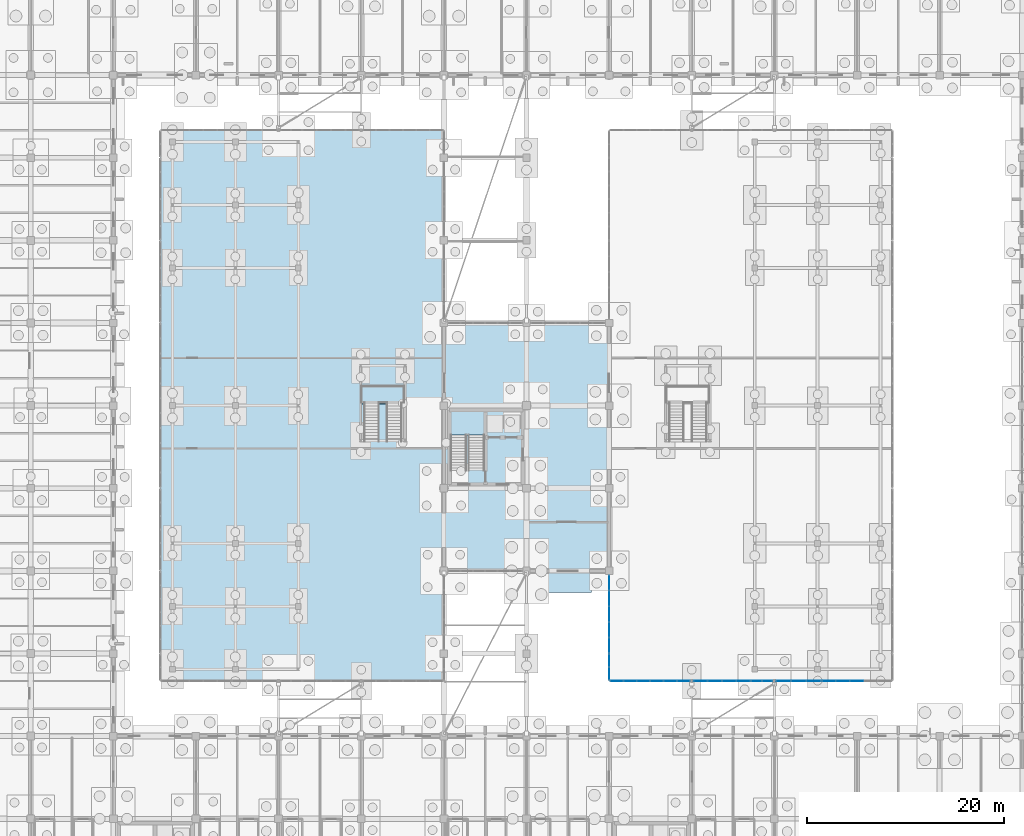
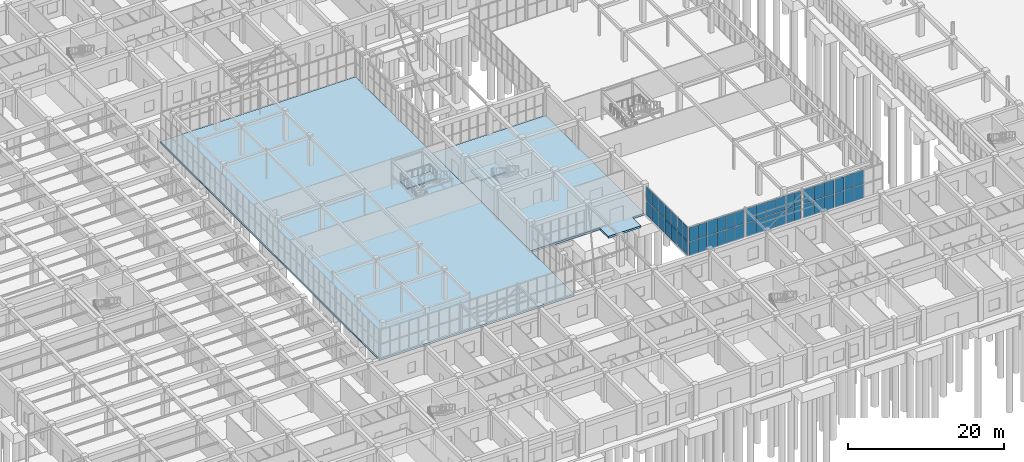
# One storey, part 138 of 192: 50 plates, 4 slabs, 9 elements without a shape of their own.
"""IFC4 building model written with IfcOpenShell, lengths in metres."""

from ifc_helpers import new_model, si_unit, direction, frame, origin, origin_2d, place, context, subcontext, project, spatial, polyline, rectangle, outline, extrude, material, layer, layer_set, type_object, element, aggregate, save


model = new_model("IFC4")

# Units and contexts
model_context = context("Model", 3, precision=1e-05, world=origin(), true_north=direction((0.0, 1.0)))
body_context = subcontext(model_context, "Body", "Model", "MODEL_VIEW")
ifc_project = project(units=[si_unit("LENGTHUNIT", "METRE"), si_unit("AREAUNIT", "SQUARE_METRE"), si_unit("VOLUMEUNIT", "CUBIC_METRE"), si_unit("PLANEANGLEUNIT", "RADIAN"), si_unit("MASSUNIT", "GRAM", prefix="KILO")], contexts=[model_context])

# Site, building, storey
site_placement = place(None, origin())
site = spatial("IfcSite", under=ifc_project, at=site_placement, CompositionType="ELEMENT")
building_placement = place(site_placement, origin())
building = spatial("IfcBuilding", under=site, at=building_placement, Name="Trelvath General Hospital", CompositionType="ELEMENT")
storey_placement = place(building_placement, origin())
storey = spatial("IfcBuildingStorey", under=building, at=storey_placement, Name="L00", CompositionType="ELEMENT", Elevation=0.0)

# Slabs
ifc_material_1 = material(Name="Concrete C35/45", Category="concrete")
ifc_layer_1 = layer(ifc_material_1, 0.300048828125)
ifc_layer_set_1 = layer_set([ifc_layer_1], Name="Concrete C35/45")
slab_type_1 = type_object("IfcSlabType", Name="BaseSlab RC300", PredefinedType="BASESLAB", material=ifc_layer_set_1)
slab_1_placement = place(storey_placement, frame((0.0, 0.0, -0.300048828125)))
element("IfcSlab", 1, at=slab_1_placement, inside=storey, type_object=slab_type_1, Name="Floor Slab SL-L00-V7-C1", PredefinedType="BASESLAB", context=body_context, shape_type="SweptSolid", body=[
    extrude(outline(polyline([(85.800048828125, 42.0), (75.60009765625, 42.0), (75.60009765625, 67.199951171875), (92.39990234375, 67.199951171875), (92.39990234375, 42.0), (90.60009765625, 42.0), (90.60009765625, 39.800048828125), (85.800048828125, 39.800048828125), (85.800048828125, 42.0)])), origin(), (0.0, 0.0, 1.0), 0.300048828125),
])
slab_2_placement = place(storey_placement, frame((0.0, 0.0, -0.300048828125)))
element("IfcSlab", 2, at=slab_2_placement, inside=storey, type_object=slab_type_1, Name="Crystal Cube Slab CUBE-W-T0 L00", PredefinedType="BASESLAB", context=body_context, shape_type="SweptSolid", body=[
    extrude(outline(polyline([(46.800048828125, 30.800048828125), (75.60009765625, 30.800048828125), (75.60009765625, 86.800048828125), (46.800048828125, 86.800048828125), (46.800048828125, 30.800048828125)])), origin(), (0.0, 0.0, 1.0), 0.300048828125),
])

# Curtain wall, plates
ifc_material_2 = material(Name="Anodised aluminium and low-E glass", Category="aluminium")
ifc_layer_2 = layer(ifc_material_2, 0.139892578125)
ifc_layer_set_2 = layer_set([ifc_layer_2], Name="Anodised aluminium and low-E glass")
curtain_wall_type_1 = type_object("IfcCurtainWallType", Name="CW CrystalCube 817 456 14", PredefinedType="USERDEFINED", material=ifc_layer_set_2)
curtain_wall_1_placement = place(storey_placement, origin())
curtain_wall_1 = element("IfcCurtainWall", 3, at=curtain_wall_1_placement, inside=storey, type_object=curtain_wall_type_1, Name="Crystal Cube Curtain Wall CUBE-E-T0 S1 L00", ObjectType="Unitised Glazed Curtain Wall", PredefinedType="USERDEFINED")
ifc_material_3 = material(Name="Low-E laminated glass", Category="glass")
ifc_layer_3 = layer(ifc_material_3, 0.028076171875)
ifc_layer_set_3 = layer_set([ifc_layer_3], Name="Low-E laminated glass")
plate_type = type_object("IfcPlateType", Name="CurtainPanel Glass28", PredefinedType="CURTAIN_PANEL", material=ifc_layer_set_3)
plate_1_placement = place(storey_placement, frame((99.9541015625, 30.800048828125, 0.06005859375), z_axis=(0.0, 0.0, 1.0), x_axis=(-1.0, 0.0, 0.0)))
plate_1 = element("IfcPlate", 4, at=plate_1_placement, type_object=plate_type, Name="CW-106 panel 1.1", PredefinedType="CURTAIN_PANEL", context=body_context, shape_type="SweptSolid", body=[
    extrude(rectangle(XDim=1.271728515625, YDim=0.028076171875, at=origin_2d()), origin(), (0.0, 0.0, 1.0), 2.18994140625),
])
plate_2_placement = place(storey_placement, frame((99.9541015625, 30.800048828125, 2.31005859375), z_axis=(0.0, 0.0, 1.0), x_axis=(-1.0, 0.0, 0.0)))
plate_2 = element("IfcPlate", 5, at=plate_2_placement, type_object=plate_type, Name="CW-106 panel 1.2", PredefinedType="CURTAIN_PANEL", context=body_context, shape_type="SweptSolid", body=[
    extrude(rectangle(XDim=1.271728515625, YDim=0.028076171875, at=origin_2d()), origin(), (0.0, 0.0, 1.0), 2.18994140625),
])
plate_3_placement = place(storey_placement, frame((98.607421875, 30.800048828125, 0.06005859375), z_axis=(0.0, 0.0, 1.0), x_axis=(-1.0, 0.0, 0.0)))
plate_3 = element("IfcPlate", 6, at=plate_3_placement, type_object=plate_type, Name="CW-106 panel 2.1", PredefinedType="CURTAIN_PANEL", context=body_context, shape_type="SweptSolid", body=[
    extrude(rectangle(XDim=1.3017578125, YDim=0.028076171875, at=origin_2d()), origin(), (0.0, 0.0, 1.0), 2.18994140625),
])
plate_4_placement = place(storey_placement, frame((98.607421875, 30.800048828125, 2.31005859375), z_axis=(0.0, 0.0, 1.0), x_axis=(-1.0, 0.0, 0.0)))
plate_4 = element("IfcPlate", 7, at=plate_4_placement, type_object=plate_type, Name="CW-106 panel 2.2", PredefinedType="CURTAIN_PANEL", context=body_context, shape_type="SweptSolid", body=[
    extrude(rectangle(XDim=1.3017578125, YDim=0.028076171875, at=origin_2d()), origin(), (0.0, 0.0, 1.0), 2.18994140625),
])
plate_5_placement = place(storey_placement, frame((97.245849609375, 30.800048828125, 0.06005859375), z_axis=(0.0, 0.0, 1.0), x_axis=(-1.0, 0.0, 0.0)))
plate_5 = element("IfcPlate", 8, at=plate_5_placement, type_object=plate_type, Name="CW-106 panel 3.1", PredefinedType="CURTAIN_PANEL", context=body_context, shape_type="SweptSolid", body=[
    extrude(rectangle(XDim=1.3017578125, YDim=0.028076171875, at=origin_2d()), origin(), (0.0, 0.0, 1.0), 2.18994140625),
])
plate_6_placement = place(storey_placement, frame((97.245849609375, 30.800048828125, 2.31005859375), z_axis=(0.0, 0.0, 1.0), x_axis=(-1.0, 0.0, 0.0)))
plate_6 = element("IfcPlate", 9, at=plate_6_placement, type_object=plate_type, Name="CW-106 panel 3.2", PredefinedType="CURTAIN_PANEL", context=body_context, shape_type="SweptSolid", body=[
    extrude(rectangle(XDim=1.3017578125, YDim=0.028076171875, at=origin_2d()), origin(), (0.0, 0.0, 1.0), 2.18994140625),
])
plate_7_placement = place(storey_placement, frame((95.88427734375, 30.800048828125, 0.06005859375), z_axis=(0.0, 0.0, 1.0), x_axis=(-1.0, 0.0, 0.0)))
plate_7 = element("IfcPlate", 10, at=plate_7_placement, type_object=plate_type, Name="CW-106 panel 4.1", PredefinedType="CURTAIN_PANEL", context=body_context, shape_type="SweptSolid", body=[
    extrude(rectangle(XDim=1.3017578125, YDim=0.028076171875, at=origin_2d()), origin(), (0.0, 0.0, 1.0), 2.18994140625),
])
plate_8_placement = place(storey_placement, frame((95.88427734375, 30.800048828125, 2.31005859375), z_axis=(0.0, 0.0, 1.0), x_axis=(-1.0, 0.0, 0.0)))
plate_8 = element("IfcPlate", 11, at=plate_8_placement, type_object=plate_type, Name="CW-106 panel 4.2", PredefinedType="CURTAIN_PANEL", context=body_context, shape_type="SweptSolid", body=[
    extrude(rectangle(XDim=1.3017578125, YDim=0.028076171875, at=origin_2d()), origin(), (0.0, 0.0, 1.0), 2.18994140625),
])
plate_9_placement = place(storey_placement, frame((94.5224609375, 30.800048828125, 0.06005859375), z_axis=(0.0, 0.0, 1.0), x_axis=(-1.0, 0.0, 0.0)))
plate_9 = element("IfcPlate", 12, at=plate_9_placement, type_object=plate_type, Name="CW-106 panel 5.1", PredefinedType="CURTAIN_PANEL", context=body_context, shape_type="SweptSolid", body=[
    extrude(rectangle(XDim=1.3017578125, YDim=0.028076171875, at=origin_2d()), origin(), (0.0, 0.0, 1.0), 2.18994140625),
])
plate_10_placement = place(storey_placement, frame((94.5224609375, 30.800048828125, 2.31005859375), z_axis=(0.0, 0.0, 1.0), x_axis=(-1.0, 0.0, 0.0)))
plate_10 = element("IfcPlate", 13, at=plate_10_placement, type_object=plate_type, Name="CW-106 panel 5.2", PredefinedType="CURTAIN_PANEL", context=body_context, shape_type="SweptSolid", body=[
    extrude(rectangle(XDim=1.3017578125, YDim=0.028076171875, at=origin_2d()), origin(), (0.0, 0.0, 1.0), 2.18994140625),
])
plate_11_placement = place(storey_placement, frame((93.17578125, 30.800048828125, 0.06005859375), z_axis=(0.0, 0.0, 1.0), x_axis=(-1.0, 0.0, 0.0)))
plate_11 = element("IfcPlate", 14, at=plate_11_placement, type_object=plate_type, Name="CW-106 panel 6.1", PredefinedType="CURTAIN_PANEL", context=body_context, shape_type="SweptSolid", body=[
    extrude(rectangle(XDim=1.271728515625, YDim=0.028076171875, at=origin_2d()), origin(), (0.0, 0.0, 1.0), 2.18994140625),
])
plate_12_placement = place(storey_placement, frame((93.17578125, 30.800048828125, 2.31005859375), z_axis=(0.0, 0.0, 1.0), x_axis=(-1.0, 0.0, 0.0)))
plate_12 = element("IfcPlate", 15, at=plate_12_placement, type_object=plate_type, Name="CW-106 panel 6.2", PredefinedType="CURTAIN_PANEL", context=body_context, shape_type="SweptSolid", body=[
    extrude(rectangle(XDim=1.271728515625, YDim=0.028076171875, at=origin_2d()), origin(), (0.0, 0.0, 1.0), 2.18994140625),
])
aggregate(curtain_wall_1, [plate_1, plate_2, plate_3, plate_4, plate_5, plate_6, plate_7, plate_8, plate_9, plate_10, plate_11, plate_12])

ifc_material_4 = material(Name="Anodised aluminium and low-E glass", Category="aluminium")
ifc_layer_4 = layer(ifc_material_4, 0.139892578125)
ifc_layer_set_4 = layer_set([ifc_layer_4], Name="Anodised aluminium and low-E glass")
curtain_wall_type_2 = type_object("IfcCurtainWallType", Name="CW CrystalCube 583 456 14", PredefinedType="USERDEFINED", material=ifc_layer_set_4)
curtain_wall_2_placement = place(storey_placement, origin())
curtain_wall_2 = element("IfcCurtainWall", 16, at=curtain_wall_2_placement, inside=storey, type_object=curtain_wall_type_2, Name="Crystal Cube Curtain Wall CUBE-E-T0 S2 L00", ObjectType="Unitised Glazed Curtain Wall", PredefinedType="USERDEFINED")
plate_13_placement = place(storey_placement, frame((106.0361328125, 30.800048828125, 0.06005859375), z_axis=(0.0, 0.0, 1.0), x_axis=(-1.0, 0.0, 0.0)))
plate_13 = element("IfcPlate", 17, at=plate_13_placement, type_object=plate_type, Name="CW-107 panel 1.1", PredefinedType="CURTAIN_PANEL", context=body_context, shape_type="SweptSolid", body=[
    extrude(rectangle(XDim=1.367431640625, YDim=0.028076171875, at=origin_2d()), origin(), (0.0, 0.0, 1.0), 2.18994140625),
])
plate_14_placement = place(storey_placement, frame((106.0361328125, 30.800048828125, 2.31005859375), z_axis=(0.0, 0.0, 1.0), x_axis=(-1.0, 0.0, 0.0)))
plate_14 = element("IfcPlate", 18, at=plate_14_placement, type_object=plate_type, Name="CW-107 panel 1.2", PredefinedType="CURTAIN_PANEL", context=body_context, shape_type="SweptSolid", body=[
    extrude(rectangle(XDim=1.367431640625, YDim=0.028076171875, at=origin_2d()), origin(), (0.0, 0.0, 1.0), 2.18994140625),
])
plate_15_placement = place(storey_placement, frame((104.59375, 30.800048828125, 0.06005859375), z_axis=(0.0, 0.0, 1.0), x_axis=(-1.0, 0.0, 0.0)))
plate_15 = element("IfcPlate", 19, at=plate_15_placement, type_object=plate_type, Name="CW-107 panel 2.1", PredefinedType="CURTAIN_PANEL", context=body_context, shape_type="SweptSolid", body=[
    extrude(rectangle(XDim=1.3974609375, YDim=0.028076171875, at=origin_2d()), origin(), (0.0, 0.0, 1.0), 2.18994140625),
])
plate_16_placement = place(storey_placement, frame((104.59375, 30.800048828125, 2.31005859375), z_axis=(0.0, 0.0, 1.0), x_axis=(-1.0, 0.0, 0.0)))
plate_16 = element("IfcPlate", 20, at=plate_16_placement, type_object=plate_type, Name="CW-107 panel 2.2", PredefinedType="CURTAIN_PANEL", context=body_context, shape_type="SweptSolid", body=[
    extrude(rectangle(XDim=1.3974609375, YDim=0.028076171875, at=origin_2d()), origin(), (0.0, 0.0, 1.0), 2.18994140625),
])
plate_17_placement = place(storey_placement, frame((103.13623046875, 30.800048828125, 0.06005859375), z_axis=(0.0, 0.0, 1.0), x_axis=(-1.0, 0.0, 0.0)))
plate_17 = element("IfcPlate", 21, at=plate_17_placement, type_object=plate_type, Name="CW-107 panel 3.1", PredefinedType="CURTAIN_PANEL", context=body_context, shape_type="SweptSolid", body=[
    extrude(rectangle(XDim=1.3974609375, YDim=0.028076171875, at=origin_2d()), origin(), (0.0, 0.0, 1.0), 2.18994140625),
])
plate_18_placement = place(storey_placement, frame((103.13623046875, 30.800048828125, 2.31005859375), z_axis=(0.0, 0.0, 1.0), x_axis=(-1.0, 0.0, 0.0)))
plate_18 = element("IfcPlate", 22, at=plate_18_placement, type_object=plate_type, Name="CW-107 panel 3.2", PredefinedType="CURTAIN_PANEL", context=body_context, shape_type="SweptSolid", body=[
    extrude(rectangle(XDim=1.3974609375, YDim=0.028076171875, at=origin_2d()), origin(), (0.0, 0.0, 1.0), 2.18994140625),
])
plate_19_placement = place(storey_placement, frame((101.69384765625, 30.800048828125, 0.06005859375), z_axis=(0.0, 0.0, 1.0), x_axis=(-1.0, 0.0, 0.0)))
plate_19 = element("IfcPlate", 23, at=plate_19_placement, type_object=plate_type, Name="CW-107 panel 4.1", PredefinedType="CURTAIN_PANEL", context=body_context, shape_type="SweptSolid", body=[
    extrude(rectangle(XDim=1.367431640625, YDim=0.028076171875, at=origin_2d()), origin(), (0.0, 0.0, 1.0), 2.18994140625),
])
plate_20_placement = place(storey_placement, frame((101.69384765625, 30.800048828125, 2.31005859375), z_axis=(0.0, 0.0, 1.0), x_axis=(-1.0, 0.0, 0.0)))
plate_20 = element("IfcPlate", 24, at=plate_20_placement, type_object=plate_type, Name="CW-107 panel 4.2", PredefinedType="CURTAIN_PANEL", context=body_context, shape_type="SweptSolid", body=[
    extrude(rectangle(XDim=1.367431640625, YDim=0.028076171875, at=origin_2d()), origin(), (0.0, 0.0, 1.0), 2.18994140625),
])
aggregate(curtain_wall_2, [plate_13, plate_14, plate_15, plate_16, plate_17, plate_18, plate_19, plate_20])

ifc_material_5 = material(Name="Anodised aluminium and low-E glass", Category="aluminium")
ifc_layer_5 = layer(ifc_material_5, 0.139892578125)
ifc_layer_set_5 = layer_set([ifc_layer_5], Name="Anodised aluminium and low-E glass")
curtain_wall_type_3 = type_object("IfcCurtainWallType", Name="CW CrystalCube 223 456 14", PredefinedType="USERDEFINED", material=ifc_layer_set_5)
curtain_wall_3_placement = place(storey_placement, origin())
curtain_wall_3 = element("IfcCurtainWall", 25, at=curtain_wall_3_placement, inside=storey, type_object=curtain_wall_type_3, Name="Crystal Cube Curtain Wall CUBE-E-T0 S3 L00", ObjectType="Unitised Glazed Curtain Wall", PredefinedType="USERDEFINED")
plate_21_placement = place(storey_placement, frame((108.4775390625, 30.800048828125, 0.06005859375), z_axis=(0.0, 0.0, 1.0), x_axis=(-1.0, 0.0, 0.0)))
plate_21 = element("IfcPlate", 26, at=plate_21_placement, type_object=plate_type, Name="CW-108 panel 1.1", PredefinedType="CURTAIN_PANEL", context=body_context, shape_type="SweptSolid", body=[
    extrude(rectangle(XDim=1.02490234375, YDim=0.028076171875, at=origin_2d()), origin(), (0.0, 0.0, 1.0), 2.18994140625),
])
plate_22_placement = place(storey_placement, frame((108.4775390625, 30.800048828125, 2.31005859375), z_axis=(0.0, 0.0, 1.0), x_axis=(-1.0, 0.0, 0.0)))
plate_22 = element("IfcPlate", 27, at=plate_22_placement, type_object=plate_type, Name="CW-108 panel 1.2", PredefinedType="CURTAIN_PANEL", context=body_context, shape_type="SweptSolid", body=[
    extrude(rectangle(XDim=1.02490234375, YDim=0.028076171875, at=origin_2d()), origin(), (0.0, 0.0, 1.0), 2.18994140625),
])
plate_23_placement = place(storey_placement, frame((107.392578125, 30.800048828125, 0.06005859375), z_axis=(0.0, 0.0, 1.0), x_axis=(-1.0, 0.0, 0.0)))
plate_23 = element("IfcPlate", 28, at=plate_23_placement, type_object=plate_type, Name="CW-108 panel 2.1", PredefinedType="CURTAIN_PANEL", context=body_context, shape_type="SweptSolid", body=[
    extrude(rectangle(XDim=1.02490234375, YDim=0.028076171875, at=origin_2d()), origin(), (0.0, 0.0, 1.0), 2.18994140625),
])
plate_24_placement = place(storey_placement, frame((107.392578125, 30.800048828125, 2.31005859375), z_axis=(0.0, 0.0, 1.0), x_axis=(-1.0, 0.0, 0.0)))
plate_24 = element("IfcPlate", 29, at=plate_24_placement, type_object=plate_type, Name="CW-108 panel 2.2", PredefinedType="CURTAIN_PANEL", context=body_context, shape_type="SweptSolid", body=[
    extrude(rectangle(XDim=1.02490234375, YDim=0.028076171875, at=origin_2d()), origin(), (0.0, 0.0, 1.0), 2.18994140625),
])
aggregate(curtain_wall_3, [plate_21, plate_22, plate_23, plate_24])

ifc_material_6 = material(Name="Anodised aluminium and low-E glass", Category="aluminium")
ifc_layer_6 = layer(ifc_material_6, 0.139892578125)
ifc_layer_set_6 = layer_set([ifc_layer_6], Name="Anodised aluminium and low-E glass")
curtain_wall_type_4 = type_object("IfcCurtainWallType", Name="CW CrystalCube 463 456 14", PredefinedType="USERDEFINED", material=ifc_layer_set_6)
curtain_wall_4_placement = place(storey_placement, origin())
curtain_wall_4 = element("IfcCurtainWall", 30, at=curtain_wall_4_placement, inside=storey, type_object=curtain_wall_type_4, Name="Crystal Cube Curtain Wall CUBE-E-T0 S4 L00", ObjectType="Unitised Glazed Curtain Wall", PredefinedType="USERDEFINED")
plate_25_placement = place(storey_placement, frame((113.193359375, 30.800048828125, 0.06005859375), z_axis=(0.0, 0.0, 1.0), x_axis=(-1.0, 0.0, 0.0)))
plate_25 = element("IfcPlate", 31, at=plate_25_placement, type_object=plate_type, Name="CW-109 panel 1.1", PredefinedType="CURTAIN_PANEL", context=body_context, shape_type="SweptSolid", body=[
    extrude(rectangle(XDim=1.453369140625, YDim=0.028076171875, at=origin_2d()), origin(), (0.0, 0.0, 1.0), 2.18994140625),
])
plate_26_placement = place(storey_placement, frame((113.193359375, 30.800048828125, 2.31005859375), z_axis=(0.0, 0.0, 1.0), x_axis=(-1.0, 0.0, 0.0)))
plate_26 = element("IfcPlate", 32, at=plate_26_placement, type_object=plate_type, Name="CW-109 panel 1.2", PredefinedType="CURTAIN_PANEL", context=body_context, shape_type="SweptSolid", body=[
    extrude(rectangle(XDim=1.453369140625, YDim=0.028076171875, at=origin_2d()), origin(), (0.0, 0.0, 1.0), 2.18994140625),
])
plate_27_placement = place(storey_placement, frame((111.6650390625, 30.800048828125, 0.06005859375), z_axis=(0.0, 0.0, 1.0), x_axis=(-1.0, 0.0, 0.0)))
plate_27 = element("IfcPlate", 33, at=plate_27_placement, type_object=plate_type, Name="CW-109 panel 2.1", PredefinedType="CURTAIN_PANEL", context=body_context, shape_type="SweptSolid", body=[
    extrude(rectangle(XDim=1.4833984375, YDim=0.028076171875, at=origin_2d()), origin(), (0.0, 0.0, 1.0), 2.18994140625),
])
plate_28_placement = place(storey_placement, frame((111.6650390625, 30.800048828125, 2.31005859375), z_axis=(0.0, 0.0, 1.0), x_axis=(-1.0, 0.0, 0.0)))
plate_28 = element("IfcPlate", 34, at=plate_28_placement, type_object=plate_type, Name="CW-109 panel 2.2", PredefinedType="CURTAIN_PANEL", context=body_context, shape_type="SweptSolid", body=[
    extrude(rectangle(XDim=1.4833984375, YDim=0.028076171875, at=origin_2d()), origin(), (0.0, 0.0, 1.0), 2.18994140625),
])
plate_29_placement = place(storey_placement, frame((110.13671875, 30.800048828125, 0.06005859375), z_axis=(0.0, 0.0, 1.0), x_axis=(-1.0, 0.0, 0.0)))
plate_29 = element("IfcPlate", 35, at=plate_29_placement, type_object=plate_type, Name="CW-109 panel 3.1", PredefinedType="CURTAIN_PANEL", context=body_context, shape_type="SweptSolid", body=[
    extrude(rectangle(XDim=1.453369140625, YDim=0.028076171875, at=origin_2d()), origin(), (0.0, 0.0, 1.0), 2.18994140625),
])
plate_30_placement = place(storey_placement, frame((110.13671875, 30.800048828125, 2.31005859375), z_axis=(0.0, 0.0, 1.0), x_axis=(-1.0, 0.0, 0.0)))
plate_30 = element("IfcPlate", 36, at=plate_30_placement, type_object=plate_type, Name="CW-109 panel 3.2", PredefinedType="CURTAIN_PANEL", context=body_context, shape_type="SweptSolid", body=[
    extrude(rectangle(XDim=1.453369140625, YDim=0.028076171875, at=origin_2d()), origin(), (0.0, 0.0, 1.0), 2.18994140625),
])
aggregate(curtain_wall_4, [plate_25, plate_26, plate_27, plate_28, plate_29, plate_30])

ifc_material_7 = material(Name="Anodised aluminium and low-E glass", Category="aluminium")
ifc_layer_7 = layer(ifc_material_7, 0.139892578125)
ifc_layer_set_7 = layer_set([ifc_layer_7], Name="Anodised aluminium and low-E glass")
curtain_wall_type_5 = type_object("IfcCurtainWallType", Name="CW CrystalCube 710 456 14", PredefinedType="USERDEFINED", material=ifc_layer_set_7)
curtain_wall_5_placement = place(storey_placement, origin())
curtain_wall_5 = element("IfcCurtainWall", 37, at=curtain_wall_5_placement, inside=storey, type_object=curtain_wall_type_5, Name="Crystal Cube Curtain Wall CUBE-E-T0 S5 L00", ObjectType="Unitised Glazed Curtain Wall", PredefinedType="USERDEFINED")
plate_31_placement = place(storey_placement, frame((117.570068359375, 30.800048828125, 0.06005859375), z_axis=(0.0, 0.0, 1.0), x_axis=(-1.0, 0.0, 0.0)))
plate_31 = element("IfcPlate", 38, at=plate_31_placement, type_object=plate_type, Name="CW-110 panel 3.1", PredefinedType="CURTAIN_PANEL", context=body_context, shape_type="SweptSolid", body=[
    extrude(rectangle(XDim=1.360107421875, YDim=0.028076171875, at=origin_2d()), origin(), (0.0, 0.0, 1.0), 2.18994140625),
])
plate_32_placement = place(storey_placement, frame((117.570068359375, 30.800048828125, 2.31005859375), z_axis=(0.0, 0.0, 1.0), x_axis=(-1.0, 0.0, 0.0)))
plate_32 = element("IfcPlate", 39, at=plate_32_placement, type_object=plate_type, Name="CW-110 panel 3.2", PredefinedType="CURTAIN_PANEL", context=body_context, shape_type="SweptSolid", body=[
    extrude(rectangle(XDim=1.360107421875, YDim=0.028076171875, at=origin_2d()), origin(), (0.0, 0.0, 1.0), 2.18994140625),
])
plate_33_placement = place(storey_placement, frame((116.14990234375, 30.800048828125, 0.06005859375), z_axis=(0.0, 0.0, 1.0), x_axis=(-1.0, 0.0, 0.0)))
plate_33 = element("IfcPlate", 40, at=plate_33_placement, type_object=plate_type, Name="CW-110 panel 4.1", PredefinedType="CURTAIN_PANEL", context=body_context, shape_type="SweptSolid", body=[
    extrude(rectangle(XDim=1.360107421875, YDim=0.028076171875, at=origin_2d()), origin(), (0.0, 0.0, 1.0), 2.18994140625),
])
plate_34_placement = place(storey_placement, frame((116.14990234375, 30.800048828125, 2.31005859375), z_axis=(0.0, 0.0, 1.0), x_axis=(-1.0, 0.0, 0.0)))
plate_34 = element("IfcPlate", 41, at=plate_34_placement, type_object=plate_type, Name="CW-110 panel 4.2", PredefinedType="CURTAIN_PANEL", context=body_context, shape_type="SweptSolid", body=[
    extrude(rectangle(XDim=1.360107421875, YDim=0.028076171875, at=origin_2d()), origin(), (0.0, 0.0, 1.0), 2.18994140625),
])
plate_35_placement = place(storey_placement, frame((114.7451171875, 30.800048828125, 0.06005859375), z_axis=(0.0, 0.0, 1.0), x_axis=(-1.0, 0.0, 0.0)))
plate_35 = element("IfcPlate", 42, at=plate_35_placement, type_object=plate_type, Name="CW-110 panel 5.1", PredefinedType="CURTAIN_PANEL", context=body_context, shape_type="SweptSolid", body=[
    extrude(rectangle(XDim=1.330078125, YDim=0.028076171875, at=origin_2d()), origin(), (0.0, 0.0, 1.0), 2.18994140625),
])
plate_36_placement = place(storey_placement, frame((114.7451171875, 30.800048828125, 2.31005859375), z_axis=(0.0, 0.0, 1.0), x_axis=(-1.0, 0.0, 0.0)))
plate_36 = element("IfcPlate", 43, at=plate_36_placement, type_object=plate_type, Name="CW-110 panel 5.2", PredefinedType="CURTAIN_PANEL", context=body_context, shape_type="SweptSolid", body=[
    extrude(rectangle(XDim=1.330078125, YDim=0.028076171875, at=origin_2d()), origin(), (0.0, 0.0, 1.0), 2.18994140625),
])
aggregate(curtain_wall_5, [plate_31, plate_32, plate_33, plate_34, plate_35, plate_36])

ifc_material_8 = material(Name="Anodised aluminium and low-E glass", Category="aluminium")
ifc_layer_8 = layer(ifc_material_8, 0.139892578125)
ifc_layer_set_8 = layer_set([ifc_layer_8], Name="Anodised aluminium and low-E glass")
curtain_wall_type_6 = type_object("IfcCurtainWallType", Name="CW CrystalCube 270 456 14", PredefinedType="USERDEFINED", material=ifc_layer_set_8)
curtain_wall_6_placement = place(storey_placement, origin())
curtain_wall_6 = element("IfcCurtainWall", 44, at=curtain_wall_6_placement, inside=storey, type_object=curtain_wall_type_6, Name="Crystal Cube Curtain Wall CUBE-E-T0 W1 L00", ObjectType="Unitised Glazed Curtain Wall", PredefinedType="USERDEFINED")
plate_37_placement = place(storey_placement, frame((92.39990234375, 31.570068359375, 0.06005859375), z_axis=(0.0, 0.0, 1.0), x_axis=(0.0, 1.0, 0.0)))
plate_37 = element("IfcPlate", 45, at=plate_37_placement, type_object=plate_type, Name="CW-117 panel 1.1", PredefinedType="CURTAIN_PANEL", context=body_context, shape_type="SweptSolid", body=[
    extrude(rectangle(XDim=1.260009765625, YDim=0.028076171875, at=origin_2d()), origin(), (0.0, 0.0, 1.0), 2.18994140625),
])
plate_38_placement = place(storey_placement, frame((92.39990234375, 31.570068359375, 2.31005859375), z_axis=(0.0, 0.0, 1.0), x_axis=(0.0, 1.0, 0.0)))
plate_38 = element("IfcPlate", 46, at=plate_38_placement, type_object=plate_type, Name="CW-117 panel 1.2", PredefinedType="CURTAIN_PANEL", context=body_context, shape_type="SweptSolid", body=[
    extrude(rectangle(XDim=1.260009765625, YDim=0.028076171875, at=origin_2d()), origin(), (0.0, 0.0, 1.0), 2.18994140625),
])
plate_39_placement = place(storey_placement, frame((92.39990234375, 32.889892578125, 0.06005859375), z_axis=(0.0, 0.0, 1.0), x_axis=(0.0, 1.0, 0.0)))
plate_39 = element("IfcPlate", 47, at=plate_39_placement, type_object=plate_type, Name="CW-117 panel 2.1", PredefinedType="CURTAIN_PANEL", context=body_context, shape_type="SweptSolid", body=[
    extrude(rectangle(XDim=1.260009765625, YDim=0.028076171875, at=origin_2d()), origin(), (0.0, 0.0, 1.0), 2.18994140625),
])
plate_40_placement = place(storey_placement, frame((92.39990234375, 32.889892578125, 2.31005859375), z_axis=(0.0, 0.0, 1.0), x_axis=(0.0, 1.0, 0.0)))
plate_40 = element("IfcPlate", 48, at=plate_40_placement, type_object=plate_type, Name="CW-117 panel 2.2", PredefinedType="CURTAIN_PANEL", context=body_context, shape_type="SweptSolid", body=[
    extrude(rectangle(XDim=1.260009765625, YDim=0.028076171875, at=origin_2d()), origin(), (0.0, 0.0, 1.0), 2.18994140625),
])
aggregate(curtain_wall_6, [plate_37, plate_38, plate_39, plate_40])

ifc_material_9 = material(Name="Anodised aluminium and low-E glass", Category="aluminium")
ifc_layer_9 = layer(ifc_material_9, 0.139892578125)
ifc_layer_set_9 = layer_set([ifc_layer_9], Name="Anodised aluminium and low-E glass")
curtain_wall_type_7 = type_object("IfcCurtainWallType", Name="CW CrystalCube 797 456 14", PredefinedType="USERDEFINED", material=ifc_layer_set_9)
curtain_wall_7_placement = place(storey_placement, origin())
curtain_wall_7 = element("IfcCurtainWall", 49, at=curtain_wall_7_placement, inside=storey, type_object=curtain_wall_type_7, Name="Crystal Cube Curtain Wall CUBE-E-T0 W2 L00", ObjectType="Unitised Glazed Curtain Wall", PredefinedType="USERDEFINED")
plate_41_placement = place(storey_placement, frame((92.39990234375, 34.431884765625, 0.06005859375), z_axis=(0.0, 0.0, 1.0), x_axis=(0.0, 1.0, 0.0)))
plate_41 = element("IfcPlate", 50, at=plate_41_placement, type_object=plate_type, Name="CW-119 panel 1.1", PredefinedType="CURTAIN_PANEL", context=body_context, shape_type="SweptSolid", body=[
    extrude(rectangle(XDim=1.50390625, YDim=0.028076171875, at=origin_2d()), origin(), (0.0, 0.0, 1.0), 2.18994140625),
])
plate_42_placement = place(storey_placement, frame((92.39990234375, 34.431884765625, 2.31005859375), z_axis=(0.0, 0.0, 1.0), x_axis=(0.0, 1.0, 0.0)))
plate_42 = element("IfcPlate", 51, at=plate_42_placement, type_object=plate_type, Name="CW-119 panel 1.2", PredefinedType="CURTAIN_PANEL", context=body_context, shape_type="SweptSolid", body=[
    extrude(rectangle(XDim=1.50390625, YDim=0.028076171875, at=origin_2d()), origin(), (0.0, 0.0, 1.0), 2.18994140625),
])
plate_43_placement = place(storey_placement, frame((92.39990234375, 36.010986328125, 0.06005859375), z_axis=(0.0, 0.0, 1.0), x_axis=(0.0, 1.0, 0.0)))
plate_43 = element("IfcPlate", 52, at=plate_43_placement, type_object=plate_type, Name="CW-119 panel 2.1", PredefinedType="CURTAIN_PANEL", context=body_context, shape_type="SweptSolid", body=[
    extrude(rectangle(XDim=1.533935546875, YDim=0.028076171875, at=origin_2d()), origin(), (0.0, 0.0, 1.0), 2.18994140625),
])
plate_44_placement = place(storey_placement, frame((92.39990234375, 36.010986328125, 2.31005859375), z_axis=(0.0, 0.0, 1.0), x_axis=(0.0, 1.0, 0.0)))
plate_44 = element("IfcPlate", 53, at=plate_44_placement, type_object=plate_type, Name="CW-119 panel 2.2", PredefinedType="CURTAIN_PANEL", context=body_context, shape_type="SweptSolid", body=[
    extrude(rectangle(XDim=1.533935546875, YDim=0.028076171875, at=origin_2d()), origin(), (0.0, 0.0, 1.0), 2.18994140625),
])
plate_45_placement = place(storey_placement, frame((92.39990234375, 37.60498046875, 0.06005859375), z_axis=(0.0, 0.0, 1.0), x_axis=(0.0, 1.0, 0.0)))
plate_45 = element("IfcPlate", 54, at=plate_45_placement, type_object=plate_type, Name="CW-119 panel 3.1", PredefinedType="CURTAIN_PANEL", context=body_context, shape_type="SweptSolid", body=[
    extrude(rectangle(XDim=1.533935546875, YDim=0.028076171875, at=origin_2d()), origin(), (0.0, 0.0, 1.0), 2.18994140625),
])
plate_46_placement = place(storey_placement, frame((92.39990234375, 37.60498046875, 2.31005859375), z_axis=(0.0, 0.0, 1.0), x_axis=(0.0, 1.0, 0.0)))
plate_46 = element("IfcPlate", 55, at=plate_46_placement, type_object=plate_type, Name="CW-119 panel 3.2", PredefinedType="CURTAIN_PANEL", context=body_context, shape_type="SweptSolid", body=[
    extrude(rectangle(XDim=1.533935546875, YDim=0.028076171875, at=origin_2d()), origin(), (0.0, 0.0, 1.0), 2.18994140625),
])
plate_47_placement = place(storey_placement, frame((92.39990234375, 39.198974609375, 0.06005859375), z_axis=(0.0, 0.0, 1.0), x_axis=(0.0, 1.0, 0.0)))
plate_47 = element("IfcPlate", 56, at=plate_47_placement, type_object=plate_type, Name="CW-119 panel 4.1", PredefinedType="CURTAIN_PANEL", context=body_context, shape_type="SweptSolid", body=[
    extrude(rectangle(XDim=1.533935546875, YDim=0.028076171875, at=origin_2d()), origin(), (0.0, 0.0, 1.0), 2.18994140625),
])
plate_48_placement = place(storey_placement, frame((92.39990234375, 39.198974609375, 2.31005859375), z_axis=(0.0, 0.0, 1.0), x_axis=(0.0, 1.0, 0.0)))
plate_48 = element("IfcPlate", 57, at=plate_48_placement, type_object=plate_type, Name="CW-119 panel 4.2", PredefinedType="CURTAIN_PANEL", context=body_context, shape_type="SweptSolid", body=[
    extrude(rectangle(XDim=1.533935546875, YDim=0.028076171875, at=origin_2d()), origin(), (0.0, 0.0, 1.0), 2.18994140625),
])
plate_49_placement = place(storey_placement, frame((92.39990234375, 40.778076171875, 0.06005859375), z_axis=(0.0, 0.0, 1.0), x_axis=(0.0, 1.0, 0.0)))
plate_49 = element("IfcPlate", 58, at=plate_49_placement, type_object=plate_type, Name="CW-119 panel 5.1", PredefinedType="CURTAIN_PANEL", context=body_context, shape_type="SweptSolid", body=[
    extrude(rectangle(XDim=1.50390625, YDim=0.028076171875, at=origin_2d()), origin(), (0.0, 0.0, 1.0), 2.18994140625),
])
plate_50_placement = place(storey_placement, frame((92.39990234375, 40.778076171875, 2.31005859375), z_axis=(0.0, 0.0, 1.0), x_axis=(0.0, 1.0, 0.0)))
plate_50 = element("IfcPlate", 59, at=plate_50_placement, type_object=plate_type, Name="CW-119 panel 5.2", PredefinedType="CURTAIN_PANEL", context=body_context, shape_type="SweptSolid", body=[
    extrude(rectangle(XDim=1.50390625, YDim=0.028076171875, at=origin_2d()), origin(), (0.0, 0.0, 1.0), 2.18994140625),
])
aggregate(curtain_wall_7, [plate_41, plate_42, plate_43, plate_44, plate_45, plate_46, plate_47, plate_48, plate_49, plate_50])

# Stair, slab
ifc_material_10 = material(Name="Concrete C35/45", Category="concrete")
stair_type_1 = type_object("IfcStairType", Name="Stair Stretcher480", PredefinedType="TWO_STRAIGHT_RUN_STAIR", material=ifc_material_10)
stair_1_placement = place(storey_placement, origin())
stair_1 = element("IfcStair", 60, at=stair_1_placement, inside=storey, type_object=stair_type_1, Name="Exit Stair ST6 L00", PredefinedType="TWO_STRAIGHT_RUN_STAIR")
ifc_material_11 = material(Name="Concrete C35/45", Category="concrete")
ifc_layer_10 = layer(ifc_material_11, 0.199951171875)
ifc_layer_set_10 = layer_set([ifc_layer_10], Name="Concrete C35/45")
slab_type_2 = type_object("IfcSlabType", Name="StairLanding 200", PredefinedType="LANDING", material=ifc_layer_set_10)
slab_3_placement = place(storey_placement, frame((0.0, 0.0, 2.199951171875)))
slab_3 = element("IfcSlab", 61, at=slab_3_placement, type_object=slab_type_2, Name="ST6-L00 landing 1", PredefinedType="LANDING", context=body_context, shape_type="SweptSolid", body=[
    extrude(outline(polyline([(76.159912109375, 55.840087890625), (79.840087890625, 55.840087890625), (79.840087890625, 58.340087890625), (76.159912109375, 58.340087890625), (76.159912109375, 55.840087890625)])), origin(), (0.0, 0.0, 1.0), 0.199951171875),
])
aggregate(stair_1, [slab_3])

ifc_material_12 = material(Name="Concrete C35/45", Category="concrete")
stair_type_2 = type_object("IfcStairType", Name="Stair PublicCube480", PredefinedType="TWO_STRAIGHT_RUN_STAIR", material=ifc_material_12)
stair_2_placement = place(storey_placement, origin())
stair_2 = element("IfcStair", 62, at=stair_2_placement, inside=storey, type_object=stair_type_2, Name="Public Cube Feature Stair ST9 L00", PredefinedType="TWO_STRAIGHT_RUN_STAIR")
slab_4_placement = place(storey_placement, frame((0.0, 0.0, 2.199951171875)))
slab_4 = element("IfcSlab", 63, at=slab_4_placement, type_object=slab_type_2, Name="ST9-L00 landing 1", PredefinedType="LANDING", context=body_context, shape_type="SweptSolid", body=[
    extrude(outline(polyline([(67.199951171875, 58.989990234375), (71.60009765625, 58.989990234375), (71.60009765625, 60.820068359375), (67.199951171875, 60.820068359375), (67.199951171875, 58.989990234375)])), origin(), (0.0, 0.0, 1.0), 0.199951171875),
])
aggregate(stair_2, [slab_4])

save(model, "model.ifc")
